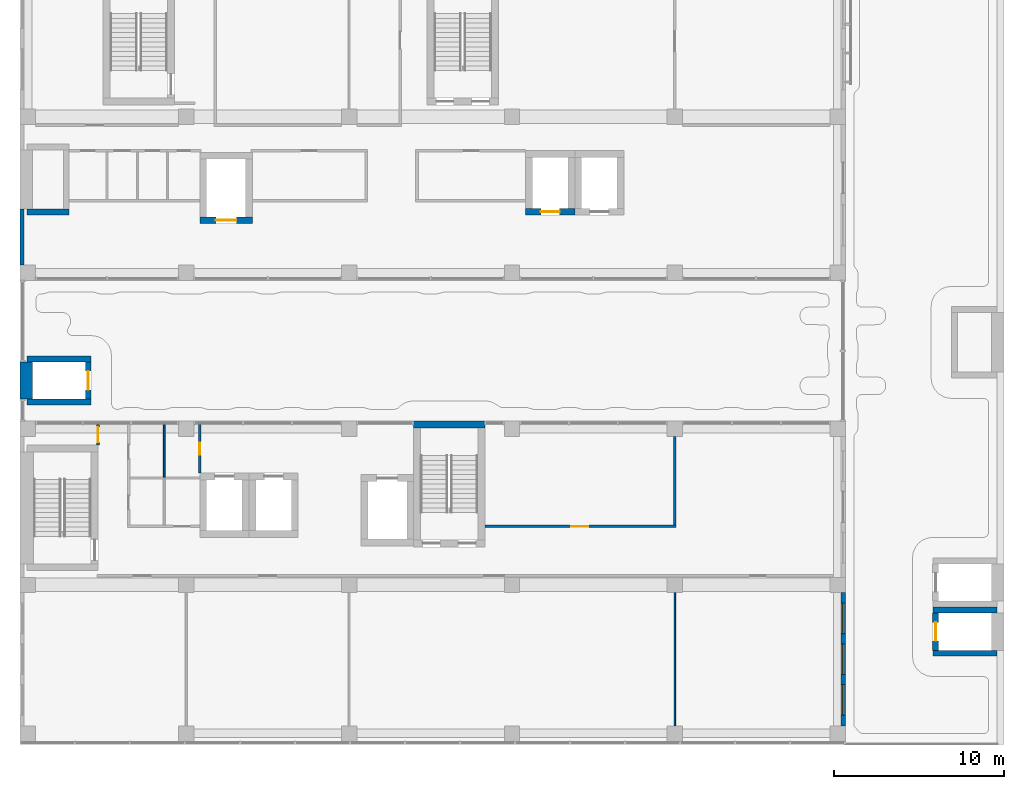
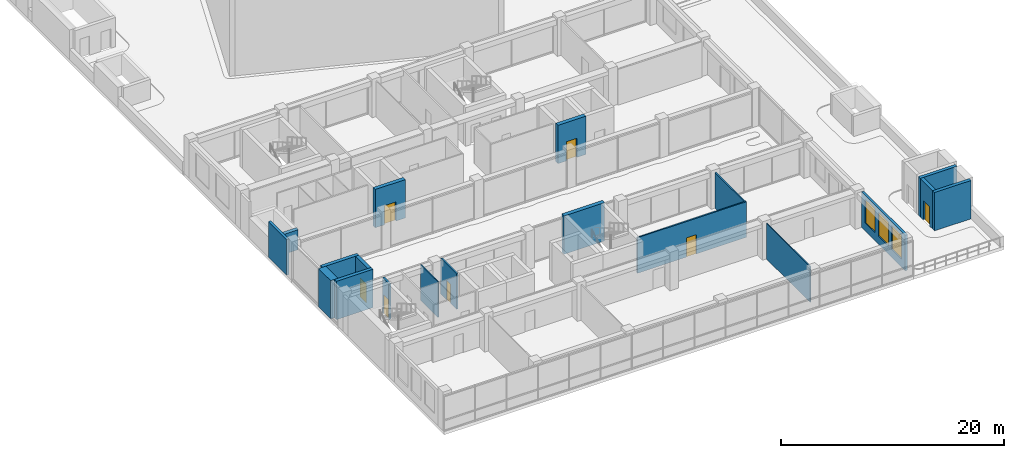
# One storey, part 59 of 72: 19 walls, 7 doors, 3 windows, 10 openings.
"""IFC4 building model written with IfcOpenShell, lengths in metres."""

from ifc_helpers import new_model, si_unit, direction, frame, frame_2d, origin, place, context, subcontext, project, spatial, rectangle, extrude, material, layer, layer_set, layer_usage, type_object, element, fill, save


model = new_model("IFC4")

# Units and contexts
model_context = context("Model", 3, precision=1e-05, world=origin(), true_north=direction((0.0, 1.0)))
body_context = subcontext(model_context, "Body", "Model", "MODEL_VIEW")
ifc_project = project(units=[si_unit("LENGTHUNIT", "METRE"), si_unit("AREAUNIT", "SQUARE_METRE"), si_unit("VOLUMEUNIT", "CUBIC_METRE"), si_unit("PLANEANGLEUNIT", "RADIAN"), si_unit("MASSUNIT", "GRAM", prefix="KILO")], contexts=[model_context])

# Site, building, storey
site_placement = place(None, origin())
site = spatial("IfcSite", under=ifc_project, at=site_placement, CompositionType="ELEMENT")
building_placement = place(site_placement, origin())
building = spatial("IfcBuilding", under=site, at=building_placement, Name="Nzadi Deep Aquarium and Research Tower", CompositionType="ELEMENT")
storey_placement = place(building_placement, frame((0.0, 0.0, 31.89990234375)))
storey = spatial("IfcBuildingStorey", under=building, at=storey_placement, Name="L05", CompositionType="ELEMENT", Elevation=31.89990234375)

# Wall, openings, windows
ifc_material_1 = material(Name="Graphite aluminium shingle", Category="aluminium")
ifc_layer_1 = layer(ifc_material_1, 0.050048828125, Category="cladding")
ifc_material_2 = material(Name="Concrete C35/45", Category="concrete")
ifc_layer_2 = layer(ifc_material_2, 0.10009765625, Category="cladding")
ifc_material_3 = material(Name="Mineral wool insulation")
ifc_layer_3 = layer(ifc_material_3, 0.070068359375, Category="insulation")
ifc_material_4 = material(Name="Gypsum board lining")
ifc_layer_4 = layer(ifc_material_4, 0.030029296875, Category="lining")
ifc_layer_set_1 = layer_set([ifc_layer_1, ifc_layer_2, ifc_layer_3, ifc_layer_4], Name="Graphite aluminium shingle, Concrete C35/45, Mineral wool insulation, Gypsum board lining")
ifc_layer_usage_1 = layer_usage(ifc_layer_set_1, "AXIS2", "POSITIVE", -0.125)
wall_type_1 = type_object("IfcWallType", Name="End wall shingle over board-formed concrete 250", PredefinedType="ELEMENTEDWALL", material=ifc_layer_set_1)
wall_1_placement = place(storey_placement, frame((48.324951171875, 0.89990234375, 0.0), z_axis=(0.0, 0.0, 1.0), x_axis=(0.0, 1.0, 0.0)))
wall_1 = element("IfcWall", 1, at=wall_1_placement, inside=storey, type_object=wall_type_1, material=ifc_layer_usage_1, Name="End wall blade A east L05", PredefinedType="ELEMENTEDWALL", context=body_context, shape_type="SweptSolid", body=[
    extrude(rectangle(XDim=7.85009765625, YDim=0.25, at=frame_2d((3.925048828125, 0.0))), origin(), (0.0, 0.0, 1.0), 3.900146484375),
])
opening_1_placement = place(wall_1_placement, frame((0.625, 0.0, 0.89990234375)))
opening_1 = element("IfcOpeningElement", 2, at=opening_1_placement, cuts=wall_1, Name="Opening WN01", PredefinedType="OPENING", context=body_context, shape_type="SweptSolid", body=[
    extrude(rectangle(XDim=1.800048828125, YDim=2.60009765625, at=frame_2d((0.89990234375, 1.300048828125))), frame((0.0, 0.135009765625, 0.0), z_axis=(0.0, -1.0, 0.0), x_axis=(1.0, 0.0, 0.0)), (0.0, 0.0, 1.0), 0.27001953125),
])
opening_2_placement = place(wall_1_placement, frame((3.02490234375, 0.0, 0.89990234375)))
opening_2 = element("IfcOpeningElement", 3, at=opening_2_placement, cuts=wall_1, Name="Opening WN01", PredefinedType="OPENING", context=body_context, shape_type="SweptSolid", body=[
    extrude(rectangle(XDim=1.800048828125, YDim=2.60009765625, at=frame_2d((0.89990234375, 1.300048828125))), frame((0.0, 0.135009765625, 0.0), z_axis=(0.0, -1.0, 0.0), x_axis=(1.0, 0.0, 0.0)), (0.0, 0.0, 1.0), 0.27001953125),
])
opening_3_placement = place(wall_1_placement, frame((5.425048828125, 0.0, 0.89990234375)))
opening_3 = element("IfcOpeningElement", 4, at=opening_3_placement, cuts=wall_1, Name="Opening WN01", PredefinedType="OPENING", context=body_context, shape_type="SweptSolid", body=[
    extrude(rectangle(XDim=1.800048828125, YDim=2.60009765625, at=frame_2d((0.89990234375, 1.300048828125))), frame((0.0, 0.135009765625, 0.0), z_axis=(0.0, -1.0, 0.0), x_axis=(1.0, 0.0, 0.0)), (0.0, 0.0, 1.0), 0.27001953125),
])
ifc_material_5 = material(Name="Aluminium window, sage tint glazing", Category="aluminium")
window_type = type_object("IfcWindowType", Name="Slot window 1800x2600 sill 900", PartitioningType="SINGLE_PANEL", PredefinedType="WINDOW", material=ifc_material_5)
window_1_placement = place(opening_1_placement, origin())
window_1 = element("IfcWindow", 5, at=window_1_placement, inside=storey, type_object=window_type, Name="Slot window L05 AE", OverallHeight=2.60009765625, OverallWidth=1.800048828125, PartitioningType="SINGLE_PANEL", PredefinedType="WINDOW", context=body_context, shape_type="SweptSolid", body=[
    extrude(rectangle(XDim=1.800048828125, YDim=2.60009765625, at=frame_2d((0.89990234375, 1.300048828125))), frame((0.0, 0.030029296875, 0.0), z_axis=(0.0, -1.0, 0.0), x_axis=(1.0, 0.0, 0.0)), (0.0, 0.0, 1.0), 0.06005859375),
])
fill(opening_1, window_1)
window_2_placement = place(opening_2_placement, origin())
window_2 = element("IfcWindow", 6, at=window_2_placement, inside=storey, type_object=window_type, Name="Slot window L05 AE", OverallHeight=2.60009765625, OverallWidth=1.800048828125, PartitioningType="SINGLE_PANEL", PredefinedType="WINDOW", context=body_context, shape_type="SweptSolid", body=[
    extrude(rectangle(XDim=1.800048828125, YDim=2.60009765625, at=frame_2d((0.89990234375, 1.300048828125))), frame((0.0, 0.030029296875, 0.0), z_axis=(0.0, -1.0, 0.0), x_axis=(1.0, 0.0, 0.0)), (0.0, 0.0, 1.0), 0.06005859375),
])
fill(opening_2, window_2)
window_3_placement = place(opening_3_placement, origin())
window_3 = element("IfcWindow", 7, at=window_3_placement, inside=storey, type_object=window_type, Name="Slot window L05 AE", OverallHeight=2.60009765625, OverallWidth=1.800048828125, PartitioningType="SINGLE_PANEL", PredefinedType="WINDOW", context=body_context, shape_type="SweptSolid", body=[
    extrude(rectangle(XDim=1.800048828125, YDim=2.60009765625, at=frame_2d((0.89990234375, 1.300048828125))), frame((0.0, 0.030029296875, 0.0), z_axis=(0.0, -1.0, 0.0), x_axis=(1.0, 0.0, 0.0)), (0.0, 0.0, 1.0), 0.06005859375),
])
fill(opening_3, window_3)

# Walls
ifc_layer_usage_2 = layer_usage(ifc_layer_set_1, "AXIS2", "POSITIVE", -0.125)
wall_2_placement = place(storey_placement, frame((-0.074462890625, 31.35009765625, 0.0), z_axis=(0.0, 0.0, 1.0), x_axis=(0.0, -1.0, 0.0)))
element("IfcWall", 8, at=wall_2_placement, inside=storey, type_object=wall_type_1, material=ifc_layer_usage_2, Name="End wall blade B west L05", PredefinedType="ELEMENTEDWALL", context=body_context, shape_type="SweptSolid", body=[
    extrude(rectangle(XDim=3.300048828125, YDim=0.25, at=frame_2d((1.64990234375, 0.0))), origin(), (0.0, 0.0, 1.0), 3.900146484375),
])
ifc_material_6 = material(Name="Blockwork masonry", Category="masonry")
ifc_layer_5 = layer(ifc_material_6, 0.10009765625)
ifc_layer_set_2 = layer_set([ifc_layer_5], Name="Blockwork masonry")
wall_type_2 = type_object("IfcWallType", Name="Partition 100 EI 30", PredefinedType="PARTITIONING", material=ifc_layer_set_2)
wall_3_placement = place(storey_placement, frame((8.300048828125, 15.550048828125, 0.0), z_axis=(0.0, 0.0, 1.0), x_axis=(0.0, 1.0, 0.0)))
element("IfcWall", 9, at=wall_3_placement, inside=storey, type_object=wall_type_2, Name="W-Z1-L05-P012", PredefinedType="PARTITIONING", context=body_context, shape_type="SweptSolid", body=[
    extrude(rectangle(XDim=3.093994140625, YDim=0.10009765625, at=frame_2d((1.546875, 0.0))), origin(), (0.0, 0.0, 1.0), 3.900146484375),
])
wall_4_placement = place(storey_placement, frame((38.39990234375, 0.89990234375, 0.0), z_axis=(0.0, 0.0, 1.0), x_axis=(0.0, 1.0, 0.0)))
element("IfcWall", 10, at=wall_4_placement, inside=storey, type_object=wall_type_2, Name="W-Z1-L05-P035", PredefinedType="PARTITIONING", context=body_context, shape_type="SweptSolid", body=[
    extrude(rectangle(XDim=7.85009765625, YDim=0.10009765625, at=frame_2d((3.925048828125, 0.0))), origin(), (0.0, 0.0, 1.0), 3.900146484375),
])

# Wall, opening, door
ifc_material_7 = material(Name="Blockwork masonry", Category="masonry")
ifc_layer_6 = layer(ifc_material_7, 0.14990234375)
ifc_layer_set_3 = layer_set([ifc_layer_6], Name="Blockwork masonry")
wall_type_3 = type_object("IfcWallType", Name="Partition 150 EI 60", PredefinedType="PARTITIONING", material=ifc_layer_set_3)
wall_5_placement = place(storey_placement, frame((10.39990234375, 15.805908203125, 0.0), z_axis=(0.0, 0.0, 1.0), x_axis=(0.0, 1.0, 0.0)))
wall_5 = element("IfcWall", 11, at=wall_5_placement, inside=storey, type_object=wall_type_3, Name="W-Z1-L05-P019", PredefinedType="PARTITIONING", context=body_context, shape_type="SweptSolid", body=[
    extrude(rectangle(XDim=2.838134765625, YDim=0.14990234375, at=frame_2d((1.4189453125, 0.0))), origin(), (0.0, 0.0, 1.0), 3.900146484375),
])
opening_4_placement = place(wall_5_placement, frame((1.073974609375, 0.0, 0.0)))
opening_4 = element("IfcOpeningElement", 12, at=opening_4_placement, cuts=wall_5, Name="Opening D061005", PredefinedType="OPENING", context=body_context, shape_type="SweptSolid", body=[
    extrude(rectangle(XDim=0.699951171875, YDim=2.10009765625, at=frame_2d((0.35009765625, 1.050048828125))), frame((0.0, 0.0849609375, 0.0), z_axis=(0.0, -1.0, 0.0), x_axis=(1.0, 0.0, 0.0)), (0.0, 0.0, 1.0), 0.169921875),
])
ifc_material_8 = material(Name="Fire-rated steel door", Category="steel")
ifc_layer_7 = layer(ifc_material_8, 0.050048828125)
ifc_layer_set_4 = layer_set([ifc_layer_7], Name="Fire-rated steel door")
door_type_1 = type_object("IfcDoorType", Name="Door 700x2100 EI 60 single", OperationType="SINGLE_SWING_LEFT", PredefinedType="DOOR", material=ifc_layer_set_4)
door_1_placement = place(opening_4_placement, origin())
door_1 = element("IfcDoor", 13, at=door_1_placement, inside=storey, type_object=door_type_1, Name="D061005", OperationType="SINGLE_SWING_LEFT", OverallHeight=2.10009765625, OverallWidth=0.699951171875, PredefinedType="DOOR", context=body_context, shape_type="SweptSolid", body=[
    extrude(rectangle(XDim=0.699951171875, YDim=2.10009765625, at=frame_2d((0.35009765625, 1.050048828125))), frame((0.0, 0.02490234375, 0.0), z_axis=(0.0, -1.0, 0.0), x_axis=(1.0, 0.0, 0.0)), (0.0, 0.0, 1.0), 0.050048828125),
])
fill(opening_4, door_1)

wall_6_placement = place(storey_placement, frame((27.2060546875, 12.64990234375, 0.0), z_axis=(0.0, 0.0, 1.0), x_axis=(1.0, 0.0, 0.0)))
wall_6 = element("IfcWall", 14, at=wall_6_placement, inside=storey, type_object=wall_type_3, Name="W-Z1-L05-P032", PredefinedType="PARTITIONING", context=body_context, shape_type="SweptSolid", body=[
    extrude(rectangle(XDim=11.26904296875, YDim=0.14990234375, at=frame_2d((5.634521484375, 0.0))), origin(), (0.0, 0.0, 1.0), 3.900146484375),
])
opening_5_placement = place(wall_6_placement, frame((5.093994140625, 0.0, 0.0)))
opening_5 = element("IfcOpeningElement", 15, at=opening_5_placement, cuts=wall_6, Name="Opening D061010", PredefinedType="OPENING", context=body_context, shape_type="SweptSolid", body=[
    extrude(rectangle(XDim=1.0, YDim=2.10009765625, at=frame_2d((0.5, 1.050048828125))), frame((0.0, 0.0849609375, 0.0), z_axis=(0.0, -1.0, 0.0), x_axis=(1.0, 0.0, 0.0)), (0.0, 0.0, 1.0), 0.169921875),
])
ifc_material_9 = material(Name="Fire-rated steel door", Category="steel")
ifc_layer_8 = layer(ifc_material_9, 0.050048828125)
ifc_layer_set_5 = layer_set([ifc_layer_8], Name="Fire-rated steel door")
door_type_2 = type_object("IfcDoorType", Name="Door 1000x2100 EI 60 single", OperationType="SINGLE_SWING_LEFT", PredefinedType="DOOR", material=ifc_layer_set_5)
door_2_placement = place(opening_5_placement, origin())
door_2 = element("IfcDoor", 16, at=door_2_placement, inside=storey, type_object=door_type_2, Name="D061010", OperationType="SINGLE_SWING_LEFT", OverallHeight=2.10009765625, OverallWidth=1.0, PredefinedType="DOOR", context=body_context, shape_type="SweptSolid", body=[
    extrude(rectangle(XDim=1.0, YDim=2.10009765625, at=frame_2d((0.5, 1.050048828125))), frame((0.0, 0.02490234375, 0.0), z_axis=(0.0, -1.0, 0.0), x_axis=(1.0, 0.0, 0.0)), (0.0, 0.0, 1.0), 0.050048828125),
])
fill(opening_5, door_2)

# Wall
wall_7_placement = place(storey_placement, frame((38.39990234375, 12.72509765625, 0.0), z_axis=(0.0, 0.0, 1.0), x_axis=(0.0, 1.0, 0.0)))
element("IfcWall", 17, at=wall_7_placement, inside=storey, type_object=wall_type_3, Name="W-Z1-L05-P033", PredefinedType="PARTITIONING", context=body_context, shape_type="SweptSolid", body=[
    extrude(rectangle(XDim=5.224853515625, YDim=0.14990234375, at=frame_2d((2.6123046875, 0.0))), origin(), (0.0, 0.0, 1.0), 3.900146484375),
])

# Wall, opening, door
ifc_material_10 = material(Name="Blockwork masonry", Category="masonry")
ifc_layer_9 = layer(ifc_material_10, 0.199951171875)
ifc_layer_set_6 = layer_set([ifc_layer_9], Name="Blockwork masonry")
wall_type_4 = type_object("IfcWallType", Name="Partition 200 EI 120", PredefinedType="PARTITIONING", material=ifc_layer_set_6)
wall_8_placement = place(storey_placement, frame((4.39990234375, 17.4560546875, 0.0), z_axis=(0.0, 0.0, 1.0), x_axis=(0.0, 1.0, 0.0)))
wall_8 = element("IfcWall", 18, at=wall_8_placement, inside=storey, type_object=wall_type_4, Name="W-Z1-L05-P004", PredefinedType="PARTITIONING", context=body_context, shape_type="SweptSolid", body=[
    extrude(rectangle(XDim=1.18798828125, YDim=0.199951171875, at=frame_2d((0.593994140625, 0.0))), origin(), (0.0, 0.0, 1.0), 3.900146484375),
])
opening_6_placement = place(wall_8_placement, frame((0.14404296875, 0.0, 0.0)))
opening_6 = element("IfcOpeningElement", 19, at=opening_6_placement, cuts=wall_8, Name="Opening D061001", PredefinedType="OPENING", context=body_context, shape_type="SweptSolid", body=[
    extrude(rectangle(XDim=0.89990234375, YDim=2.10009765625, at=frame_2d((0.449951171875, 1.050048828125))), frame((0.0, 0.110107421875, 0.0), z_axis=(0.0, -1.0, 0.0), x_axis=(1.0, 0.0, 0.0)), (0.0, 0.0, 1.0), 0.22021484375),
])
ifc_material_11 = material(Name="Fire-rated steel door", Category="steel")
ifc_layer_10 = layer(ifc_material_11, 0.050048828125)
ifc_layer_set_7 = layer_set([ifc_layer_10], Name="Fire-rated steel door")
door_type_3 = type_object("IfcDoorType", Name="Door 900x2100 EI 120 single", OperationType="SINGLE_SWING_LEFT", PredefinedType="DOOR", material=ifc_layer_set_7)
door_3_placement = place(opening_6_placement, origin())
door_3 = element("IfcDoor", 20, at=door_3_placement, inside=storey, type_object=door_type_3, Name="D061001", OperationType="SINGLE_SWING_LEFT", OverallHeight=2.10009765625, OverallWidth=0.89990234375, PredefinedType="DOOR", context=body_context, shape_type="SweptSolid", body=[
    extrude(rectangle(XDim=0.89990234375, YDim=2.10009765625, at=frame_2d((0.449951171875, 1.050048828125))), frame((0.0, 0.02490234375, 0.0), z_axis=(0.0, -1.0, 0.0), x_axis=(1.0, 0.0, 0.0)), (0.0, 0.0, 1.0), 0.050048828125),
])
fill(opening_6, door_3)

# Walls
ifc_material_12 = material(Name="Concrete C35/45", Category="concrete")
ifc_layer_11 = layer(ifc_material_12, 0.35009765625)
ifc_layer_set_8 = layer_set([ifc_layer_11], Name="Concrete C35/45")
wall_type_5 = type_object("IfcWallType", Name="RC core wall 350", PredefinedType="SHEAR", material=ifc_layer_set_8)
for number, where, z_axis, x_axis, name in (
    (21, (0.199951171875, 19.97509765625, 0.0), (0.0, 0.0, 1.0), (1.0, 0.0, 0.0), "W-CORE-PL1-L05-S"),
    (22, (0.199951171875, 22.52490234375, 0.0), (0.0, 0.0, 1.0), (1.0, 0.0, 0.0), "W-CORE-PL1-L05-N"),
):
    element("IfcWall", number, at=place(storey_placement, frame(where, z_axis=z_axis, x_axis=x_axis)), inside=storey, type_object=wall_type_5, Name=name, PredefinedType="SHEAR", context=body_context, shape_type="SweptSolid", body=[
        extrude(rectangle(XDim=3.800048828125, YDim=0.35009765625, at=frame_2d((1.89990234375, 0.0))), origin(), (0.0, 0.0, 1.0), 4.2001953125),
    ])

# Wall, opening, door
wall_9_placement = place(storey_placement, frame((3.824951171875, 20.14990234375, 0.0), z_axis=(0.0, 0.0, 1.0), x_axis=(0.0, 1.0, 0.0)))
wall_9 = element("IfcWall", 23, at=wall_9_placement, inside=storey, type_object=wall_type_5, Name="W-CORE-PL1-L05-E", PredefinedType="SHEAR", context=body_context, shape_type="SweptSolid", body=[
    extrude(rectangle(XDim=2.2001953125, YDim=0.35009765625, at=frame_2d((1.10009765625, 0.0))), origin(), (0.0, 0.0, 1.0), 4.2001953125),
])
opening_7_placement = place(wall_9_placement, frame((0.550048828125, 0.0, 0.0)))
opening_7 = element("IfcOpeningElement", 24, at=opening_7_placement, cuts=wall_9, Name="Opening LD-PL1-L05", PredefinedType="OPENING", context=body_context, shape_type="SweptSolid", body=[
    extrude(rectangle(XDim=1.10009765625, YDim=2.10009765625, at=frame_2d((0.550048828125, 1.050048828125))), frame((0.0, 0.18505859375, 0.0), z_axis=(0.0, -1.0, 0.0), x_axis=(1.0, 0.0, 0.0)), (0.0, 0.0, 1.0), 0.3701171875),
])
ifc_material_13 = material(Name="Stainless steel 1.4301", Category="steel")
door_type_4 = type_object("IfcDoorType", Name="LANDING DOOR 1100x2100", OperationType="DOUBLE_DOOR_SLIDING", PredefinedType="DOOR", material=ifc_material_13)
door_4_placement = place(opening_7_placement, origin())
door_4 = element("IfcDoor", 25, at=door_4_placement, inside=storey, type_object=door_type_4, Name="Landing door PL1 L05", OperationType="DOUBLE_DOOR_SLIDING", OverallHeight=2.10009765625, OverallWidth=1.10009765625, PredefinedType="DOOR", context=body_context, shape_type="SweptSolid", body=[
    extrude(rectangle(XDim=1.10009765625, YDim=2.10009765625, at=frame_2d((0.550048828125, 1.050048828125))), frame((0.0, 0.02490234375, 0.0), z_axis=(0.0, -1.0, 0.0), x_axis=(1.0, 0.0, 0.0)), (0.0, 0.0, 1.0), 0.050048828125),
])
fill(opening_7, door_4)

# Walls
for number, where, z_axis, x_axis, name in (
    (26, (53.60009765625, 5.175048828125, 0.0), (0.0, 0.0, 1.0), (1.0, 0.0, 0.0), "W-CORE-EL2-L05-S"),
    (27, (53.60009765625, 7.72509765625, 0.0), (0.0, 0.0, 1.0), (1.0, 0.0, 0.0), "W-CORE-EL2-L05-N"),
):
    element("IfcWall", number, at=place(storey_placement, frame(where, z_axis=z_axis, x_axis=x_axis)), inside=storey, type_object=wall_type_5, Name=name, PredefinedType="SHEAR", context=body_context, shape_type="SweptSolid", body=[
        extrude(rectangle(XDim=3.7998046875, YDim=0.35009765625, at=frame_2d((1.89990234375, 0.0))), origin(), (0.0, 0.0, 1.0), 4.2001953125),
    ])

# Wall, opening, door
wall_10_placement = place(storey_placement, frame((53.77490234375, 5.35009765625, 0.0), z_axis=(0.0, 0.0, 1.0), x_axis=(0.0, 1.0, 0.0)))
wall_10 = element("IfcWall", 28, at=wall_10_placement, inside=storey, type_object=wall_type_5, Name="W-CORE-EL2-L05-W", PredefinedType="SHEAR", context=body_context, shape_type="SweptSolid", body=[
    extrude(rectangle(XDim=2.199951171875, YDim=0.35009765625, at=frame_2d((1.10009765625, 0.0))), origin(), (0.0, 0.0, 1.0), 4.2001953125),
])
opening_8_placement = place(wall_10_placement, frame((0.550048828125, 0.0, 0.0)))
opening_8 = element("IfcOpeningElement", 29, at=opening_8_placement, cuts=wall_10, Name="Opening LD-EL2-L05", PredefinedType="OPENING", context=body_context, shape_type="SweptSolid", body=[
    extrude(rectangle(XDim=1.10009765625, YDim=2.10009765625, at=frame_2d((0.550048828125, 1.050048828125))), frame((0.0, 0.18505859375, 0.0), z_axis=(0.0, -1.0, 0.0), x_axis=(1.0, 0.0, 0.0)), (0.0, 0.0, 1.0), 0.3701171875),
])
door_5_placement = place(opening_8_placement, origin())
door_5 = element("IfcDoor", 30, at=door_5_placement, inside=storey, type_object=door_type_4, Name="Landing door EL2 L05", OperationType="DOUBLE_DOOR_SLIDING", OverallHeight=2.10009765625, OverallWidth=1.10009765625, PredefinedType="DOOR", context=body_context, shape_type="SweptSolid", body=[
    extrude(rectangle(XDim=1.10009765625, YDim=2.10009765625, at=frame_2d((0.550048828125, 1.050048828125))), frame((0.0, 0.02490234375, 0.0), z_axis=(0.0, -1.0, 0.0), x_axis=(1.0, 0.0, 0.0)), (0.0, 0.0, 1.0), 0.050048828125),
])
fill(opening_8, door_5)

# Walls
ifc_material_14 = material(Name="Concrete C35/45", Category="concrete")
ifc_layer_12 = layer(ifc_material_14, 0.35009765625)
ifc_layer_set_9 = layer_set([ifc_layer_12], Name="Concrete C35/45")
wall_type_6 = type_object("IfcWallType", Name="RC core wall 350, 2.20 m high", PredefinedType="SHEAR", material=ifc_layer_set_9)
wall_11_placement = place(storey_placement, frame((0.199951171875, 31.175048828125, 0.0), z_axis=(0.0, 0.0, 1.0), x_axis=(1.0, 0.0, 0.0)))
element("IfcWall", 31, at=wall_11_placement, inside=storey, type_object=wall_type_6, Name="W-CORE-RS-Z1-W-L05-S", PredefinedType="SHEAR", context=body_context, shape_type="SweptSolid", body=[
    extrude(rectangle(XDim=2.5, YDim=0.35009765625, at=frame_2d((1.25, 0.0))), origin(), (0.0, 0.0, 1.0), 2.2001953125),
])
ifc_material_15 = material(Name="Concrete C35/45", Category="concrete")
ifc_layer_13 = layer(ifc_material_15, 0.39990234375)
ifc_layer_set_10 = layer_set([ifc_layer_13], Name="Concrete C35/45")
wall_type_7 = type_object("IfcWallType", Name="RC core wall 400", PredefinedType="SHEAR", material=ifc_layer_set_10)
wall_12_placement = place(storey_placement, frame((23.0, 18.64990234375, 0.0), z_axis=(0.0, 0.0, 1.0), x_axis=(1.0, 0.0, 0.0)))
element("IfcWall", 32, at=wall_12_placement, inside=storey, type_object=wall_type_7, Name="W-CORE-ST-Z1-SE-L05-N", PredefinedType="SHEAR", context=body_context, shape_type="SweptSolid", body=[
    extrude(rectangle(XDim=4.199951171875, YDim=0.39990234375, at=frame_2d((2.10009765625, 0.0))), origin(), (0.0, 0.0, 1.0), 4.2001953125),
])

# Wall, opening, door
wall_13_placement = place(storey_placement, frame((10.39990234375, 30.699951171875, 0.0), z_axis=(0.0, 0.0, 1.0), x_axis=(1.0, 0.0, 0.0)))
wall_13 = element("IfcWall", 33, at=wall_13_placement, inside=storey, type_object=wall_type_7, Name="W-CORE-FL2-L05-S", PredefinedType="SHEAR", context=body_context, shape_type="SweptSolid", body=[
    extrude(rectangle(XDim=3.10009765625, YDim=0.39990234375, at=frame_2d((1.550048828125, 0.0))), origin(), (0.0, 0.0, 1.0), 4.2001953125),
])
opening_9_placement = place(wall_13_placement, frame((0.949951171875, 0.0, 0.0)))
opening_9 = element("IfcOpeningElement", 34, at=opening_9_placement, cuts=wall_13, Name="Opening LD-FL2-L05", PredefinedType="OPENING", context=body_context, shape_type="SweptSolid", body=[
    extrude(rectangle(XDim=1.199951171875, YDim=2.10009765625, at=frame_2d((0.60009765625, 1.050048828125))), frame((0.0, 0.2099609375, 0.0), z_axis=(0.0, -1.0, 0.0), x_axis=(1.0, 0.0, 0.0)), (0.0, 0.0, 1.0), 0.419921875),
])
ifc_material_16 = material(Name="Stainless steel 1.4301", Category="steel")
door_type_5 = type_object("IfcDoorType", Name="LANDING DOOR 1200x2100", OperationType="DOUBLE_DOOR_SLIDING", PredefinedType="DOOR", material=ifc_material_16)
door_6_placement = place(opening_9_placement, origin())
door_6 = element("IfcDoor", 35, at=door_6_placement, inside=storey, type_object=door_type_5, Name="Landing door FL2 L05", OperationType="DOUBLE_DOOR_SLIDING", OverallHeight=2.10009765625, OverallWidth=1.199951171875, PredefinedType="DOOR", context=body_context, shape_type="SweptSolid", body=[
    extrude(rectangle(XDim=1.199951171875, YDim=2.10009765625, at=frame_2d((0.60009765625, 1.050048828125))), frame((0.0, 0.02490234375, 0.0), z_axis=(0.0, -1.0, 0.0), x_axis=(1.0, 0.0, 0.0)), (0.0, 0.0, 1.0), 0.050048828125),
])
fill(opening_9, door_6)

wall_14_placement = place(storey_placement, frame((29.60009765625, 31.199951171875, 0.0), z_axis=(0.0, 0.0, 1.0), x_axis=(1.0, 0.0, 0.0)))
wall_14 = element("IfcWall", 36, at=wall_14_placement, inside=storey, type_object=wall_type_7, Name="W-CORE-TL3-L05-S", PredefinedType="SHEAR", context=body_context, shape_type="SweptSolid", body=[
    extrude(rectangle(XDim=2.89990234375, YDim=0.39990234375, at=frame_2d((1.449951171875, 0.0))), origin(), (0.0, 0.0, 1.0), 4.2001953125),
])
opening_10_placement = place(wall_14_placement, frame((0.89990234375, 0.0, 0.0)))
opening_10 = element("IfcOpeningElement", 37, at=opening_10_placement, cuts=wall_14, Name="Opening LD-TL3-L05", PredefinedType="OPENING", context=body_context, shape_type="SweptSolid", body=[
    extrude(rectangle(XDim=1.10009765625, YDim=2.10009765625, at=frame_2d((0.550048828125, 1.050048828125))), frame((0.0, 0.2099609375, 0.0), z_axis=(0.0, -1.0, 0.0), x_axis=(1.0, 0.0, 0.0)), (0.0, 0.0, 1.0), 0.419921875),
])
door_7_placement = place(opening_10_placement, origin())
door_7 = element("IfcDoor", 38, at=door_7_placement, inside=storey, type_object=door_type_4, Name="Landing door TL3 L05", OperationType="DOUBLE_DOOR_SLIDING", OverallHeight=2.10009765625, OverallWidth=1.10009765625, PredefinedType="DOOR", context=body_context, shape_type="SweptSolid", body=[
    extrude(rectangle(XDim=1.10009765625, YDim=2.10009765625, at=frame_2d((0.550048828125, 1.050048828125))), frame((0.0, 0.02490234375, 0.0), z_axis=(0.0, -1.0, 0.0), x_axis=(1.0, 0.0, 0.0)), (0.0, 0.0, 1.0), 0.050048828125),
])
fill(opening_10, door_7)

# Wall
ifc_material_17 = material(Name="Concrete C35/45", Category="concrete")
ifc_layer_14 = layer(ifc_material_17, 0.75)
ifc_layer_set_11 = layer_set([ifc_layer_14], Name="Concrete C35/45")
wall_type_8 = type_object("IfcWallType", Name="RC core wall 750", PredefinedType="SHEAR", material=ifc_layer_set_11)
wall_15_placement = place(storey_placement, frame((0.175537109375, 20.14990234375, 0.0), z_axis=(0.0, 0.0, 1.0), x_axis=(0.0, 1.0, 0.0)))
element("IfcWall", 39, at=wall_15_placement, inside=storey, type_object=wall_type_8, Name="W-CORE-PL1-L05-W", PredefinedType="SHEAR", context=body_context, shape_type="SweptSolid", body=[
    extrude(rectangle(XDim=2.2001953125, YDim=0.75, at=frame_2d((1.10009765625, 0.0))), origin(), (0.0, 0.0, 1.0), 4.2001953125),
])

save(model, "model.ifc")
